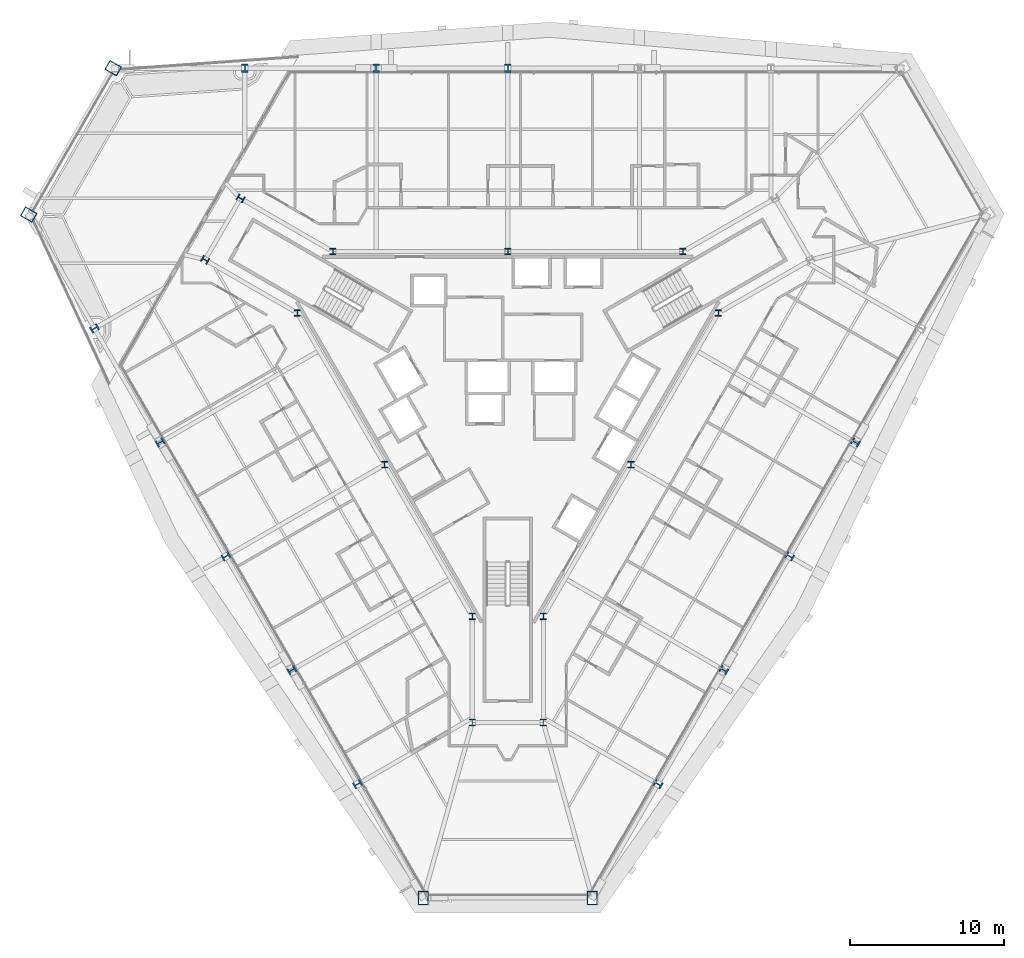
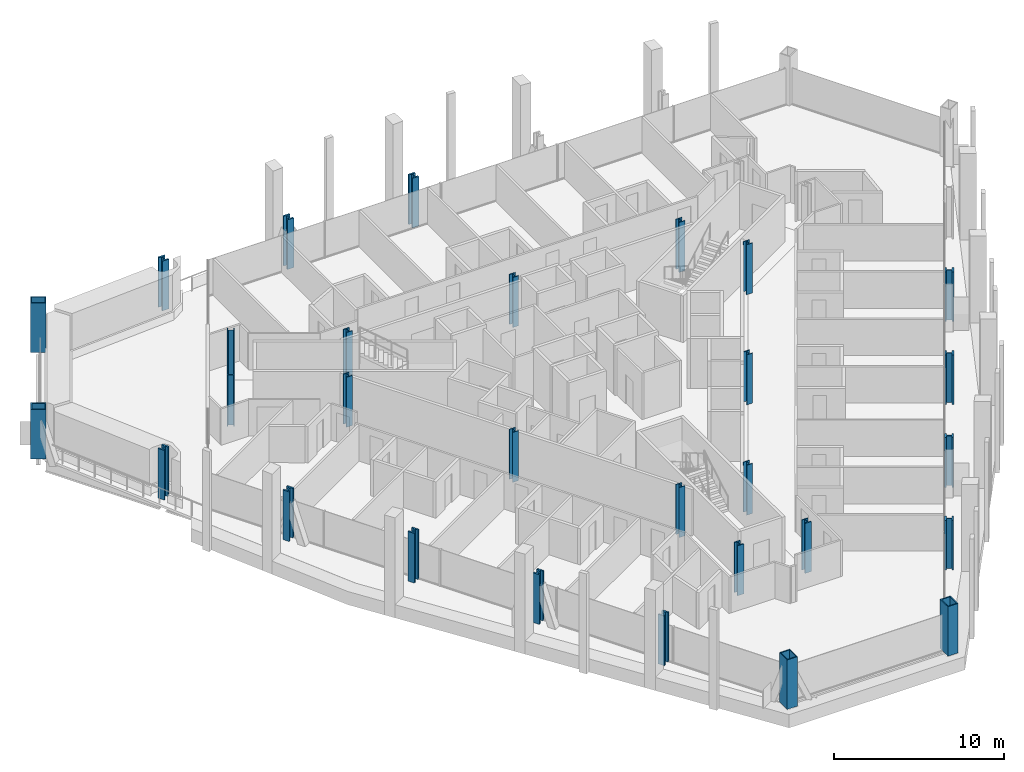
# One storey, part 1 of 19: 29 columns.
"""IFC4 building model written with IfcOpenShell, lengths in metres."""

from ifc_helpers import new_model, si_unit, direction, frame, origin, origin_2d, place, context, subcontext, project, spatial, hollow_rectangle, i_section, extrude, material, material_profile, profile_set, type_object, element, save


model = new_model("IFC4")

# Units and contexts
model_context = context("Model", 3, precision=1e-05, world=origin(), true_north=direction((0.0, 1.0)))
body_context = subcontext(model_context, "Body", "Model", "MODEL_VIEW")
ifc_project = project(units=[si_unit("LENGTHUNIT", "METRE"), si_unit("AREAUNIT", "SQUARE_METRE"), si_unit("VOLUMEUNIT", "CUBIC_METRE"), si_unit("PLANEANGLEUNIT", "RADIAN"), si_unit("MASSUNIT", "GRAM", prefix="KILO")], contexts=[model_context])

# Site, building, storey
site_placement = place(None, origin())
site = spatial("IfcSite", under=ifc_project, at=site_placement, CompositionType="ELEMENT")
building_placement = place(site_placement, origin())
building = spatial("IfcBuilding", under=site, at=building_placement, Name="Verrane Prism Tower", CompositionType="ELEMENT")
storey_placement = place(building_placement, frame((0.0, 0.0, 58.39990234375)))
storey = spatial("IfcBuildingStorey", under=building, at=storey_placement, Name="L12", CompositionType="ELEMENT", Elevation=58.39990234375)

# Columns
ifc_material_1 = material(Name="Steel A992", Category="steel")
ifc_material_profile_1 = material_profile(ifc_material_1, i_section(OverallWidth=0.419189453125, OverallDepth=0.45458984375, WebThickness=0.042236328125, FlangeThickness=0.067626953125, FilletRadius=0.01513671875, at=origin_2d()), Name="W14x370")
ifc_profile_set_1 = profile_set([ifc_material_profile_1], Name="Steel A992")
column_type_1 = type_object("IfcColumnType", Name="Core corner column W14x370", PredefinedType="COLUMN", material=ifc_profile_set_1)
for number, where, z_axis, x_axis, name in (
    (1, (-17.300048828125, 12.639892578125, 0.0), (0.0, 0.0, 1.0), (0.5, 0.866025403784, 0.0), "Core corner column CK-NWm L12"),
    (2, (-19.60009765625, 8.659912109375, 0.0), (0.0, 0.0, 1.0), (0.5, 0.866025403784, 0.0), "Core corner column CK-NWp L12"),
    (3, (-2.300048828125, -21.300048828125, 0.0), (0.0, 0.0, 1.0), (-1.0, 0.0, 0.0), "Core corner column CK-Sm L12"),
    (4, (2.300048828125, -21.300048828125, 0.0), (0.0, 0.0, 1.0), (-1.0, 0.0, 0.0), "Core corner column CK-Sp L12"),
):
    element("IfcColumn", number, at=place(storey_placement, frame(where, z_axis=z_axis, x_axis=x_axis)), inside=storey, type_object=column_type_1, Name=name, PredefinedType="COLUMN", context=body_context, shape_type="SweptSolid", body=[
        extrude(i_section(OverallWidth=0.419189453125, OverallDepth=0.45458984375, WebThickness=0.042236328125, FlangeThickness=0.067626953125, FilletRadius=0.01513671875, at=origin_2d()), origin(), (0.0, 0.0, 1.0), 3.60009765625),
    ])
ifc_material_2 = material(Name="Steel A992", Category="steel")
ifc_material_profile_2 = material_profile(ifc_material_2, i_section(OverallWidth=0.406494140625, OverallDepth=0.41650390625, WebThickness=0.030029296875, FlangeThickness=0.048095703125, FilletRadius=0.01513671875, at=origin_2d()), Name="W14x257")
ifc_profile_set_2 = profile_set([ifc_material_profile_2], Name="Steel A992")
column_type_2 = type_object("IfcColumnType", Name="Core side column W14x257", PredefinedType="COLUMN", material=ifc_profile_set_2)
for number, where, z_axis, x_axis, name in (
    (5, (13.6298828125, 5.219970703125, 0.0), (0.0, 0.0, 1.0), (1.0, 0.0, 0.0), "Core side column CC-NEm L12"),
    (6, (11.330078125, 9.199951171875, 0.0), (0.0, 0.0, 1.0), (1.0, 0.0, 0.0), "Core side column CC-NEp L12"),
    (7, (0.0, 9.199951171875, 0.0), (0.0, 0.0, 1.0), (1.0, 0.0, 0.0), "Core side column CC-N0 L12"),
    (8, (-11.330078125, 9.199951171875, 0.0), (0.0, 0.0, 1.0), (1.0, 0.0, 0.0), "Core side column CC-NWm L12"),
    (9, (-13.6298828125, 5.219970703125, 0.0), (0.0, 0.0, 1.0), (1.0, 0.0, 0.0), "Core side column CC-NWp L12"),
    (10, (-7.969970703125, -4.60009765625, 0.0), (0.0, 0.0, 1.0), (1.0, 0.0, 0.0), "Core side column CC-SW0 L12"),
    (11, (-2.300048828125, -14.419921875, 0.0), (0.0, 0.0, 1.0), (1.0, 0.0, 0.0), "Core side column CC-Sm L12"),
    (12, (2.300048828125, -14.419921875, 0.0), (0.0, 0.0, 1.0), (1.0, 0.0, 0.0), "Core side column CC-Sp L12"),
    (13, (7.969970703125, -4.60009765625, 0.0), (0.0, 0.0, 1.0), (1.0, 0.0, 0.0), "Core side column CC-SE0 L12"),
):
    element("IfcColumn", number, at=place(storey_placement, frame(where, z_axis=z_axis, x_axis=x_axis)), inside=storey, type_object=column_type_2, Name=name, PredefinedType="COLUMN", context=body_context, shape_type="SweptSolid", body=[
        extrude(i_section(OverallWidth=0.406494140625, OverallDepth=0.41650390625, WebThickness=0.030029296875, FlangeThickness=0.048095703125, FilletRadius=0.01513671875, at=origin_2d()), origin(), (0.0, 0.0, 1.0), 3.60009765625),
    ])
ifc_material_3 = material(Name="Steel A572 Grade 50", Category="steel")
ifc_material_profile_3 = material_profile(ifc_material_3, hollow_rectangle(XDim=0.699951171875, YDim=0.89990234375, WallThickness=0.06494140625, at=origin_2d()), Name="BOX 900x700x65")
ifc_profile_set_3 = profile_set([ifc_material_profile_3], Name="Steel A572 Grade 50")
column_type_3 = type_object("IfcColumnType", Name="Megacolumn BOX 900x700x65", PredefinedType="COLUMN", material=ifc_profile_set_3)
for number, where, z_axis, x_axis, name in (
    (14, (-25.550048828125, 21.070068359375, 0.0), (0.0, 0.0, 1.0), (0.5, 0.866025403784, 0.0), "Megacolumn MC-NW.a L12"),
    (15, (-31.02001953125, 11.590087890625, 0.0), (0.0, 0.0, 1.0), (0.5, 0.866025403784, 0.0), "Megacolumn MC-NW.b L12"),
    (16, (-5.469970703125, -32.659912109375, 0.0), (0.0, 0.0, 1.0), (-1.0, 0.0, 0.0), "Megacolumn MC-S.a L12"),
    (17, (5.469970703125, -32.659912109375, 0.0), (0.0, 0.0, 1.0), (-1.0, 0.0, 0.0), "Megacolumn MC-S.b L12"),
):
    element("IfcColumn", number, at=place(storey_placement, frame(where, z_axis=z_axis, x_axis=x_axis)), inside=storey, type_object=column_type_3, Name=name, PredefinedType="COLUMN", context=body_context, shape_type="SweptSolid", body=[
        extrude(hollow_rectangle(XDim=0.699951171875, YDim=0.89990234375, WallThickness=0.06494140625, at=origin_2d()), origin(), (0.0, 0.0, 1.0), 3.56005859375),
    ])
ifc_material_4 = material(Name="Steel A992", Category="steel")
ifc_material_profile_4 = material_profile(ifc_material_4, i_section(OverallWidth=0.44189453125, OverallDepth=0.53076171875, WebThickness=0.06591796875, FlangeThickness=0.105712890625, FilletRadius=0.01513671875, at=origin_2d()), Name="W14x605")
ifc_profile_set_4 = profile_set([ifc_material_profile_4], Name="Steel A992")
column_type_4 = type_object("IfcColumnType", Name="Perimeter column W14x605", PredefinedType="COLUMN", material=ifc_profile_set_4)
for number, where, z_axis, x_axis, name in (
    (18, (0.0, 21.070068359375, 0.0), (0.0, 0.0, 1.0), (1.0, 0.0, 0.0), "Perimeter column PC-N3 L12"),
    (19, (-8.52001953125, 21.070068359375, 0.0), (0.0, 0.0, 1.0), (1.0, 0.0, 0.0), "Perimeter column PC-N4 L12"),
    (20, (-17.030029296875, 21.070068359375, 0.0), (0.0, 0.0, 1.0), (1.0, 0.0, 0.0), "Perimeter column PC-N5 L12"),
    (21, (-26.760009765625, 4.219970703125, 0.0), (0.0, 0.0, 1.0), (-0.5, 0.866025403784, 0.0), "Perimeter column PC-SW1 L12"),
    (22, (-22.510009765625, -3.159912109375, 0.0), (0.0, 0.0, 1.0), (-0.5, 0.866025403784, 0.0), "Perimeter column PC-SW2 L12"),
    (23, (-18.25, -10.5400390625, 0.0), (0.0, 0.0, 1.0), (-0.5, 0.866025403784, 0.0), "Perimeter column PC-SW3 L12"),
    (24, (-13.989990234375, -17.909912109375, 0.0), (0.0, 0.0, 1.0), (-0.5, 0.866025403784, 0.0), "Perimeter column PC-SW4 L12"),
    (25, (-9.72998046875, -25.2900390625, 0.0), (0.0, 0.0, 1.0), (-0.5, 0.866025403784, 0.0), "Perimeter column PC-SW5 L12"),
    (26, (9.72998046875, -25.2900390625, 0.0), (0.0, 0.0, 1.0), (-0.5, -0.866025403784, 0.0), "Perimeter column PC-SE1 L12"),
    (27, (13.989990234375, -17.909912109375, 0.0), (0.0, 0.0, 1.0), (-0.5, -0.866025403784, 0.0), "Perimeter column PC-SE2 L12"),
    (28, (18.25, -10.5400390625, 0.0), (0.0, 0.0, 1.0), (-0.5, -0.866025403784, 0.0), "Perimeter column PC-SE3 L12"),
    (29, (22.510009765625, -3.159912109375, 0.0), (0.0, 0.0, 1.0), (-0.5, -0.866025403784, 0.0), "Perimeter column PC-SE4 L12"),
):
    element("IfcColumn", number, at=place(storey_placement, frame(where, z_axis=z_axis, x_axis=x_axis)), inside=storey, type_object=column_type_4, Name=name, PredefinedType="COLUMN", context=body_context, shape_type="SweptSolid", body=[
        extrude(i_section(OverallWidth=0.44189453125, OverallDepth=0.53076171875, WebThickness=0.06591796875, FlangeThickness=0.105712890625, FilletRadius=0.01513671875, at=origin_2d()), origin(), (0.0, 0.0, 1.0), 3.5751953125),
    ])

save(model, "model.ifc")
